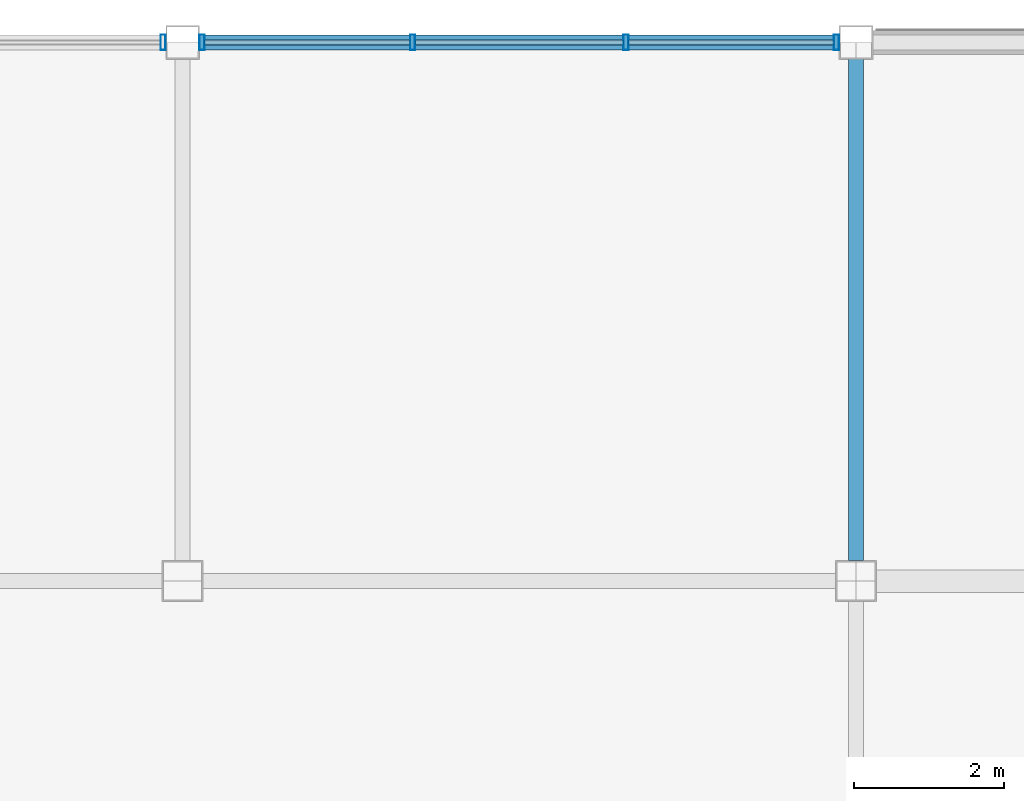
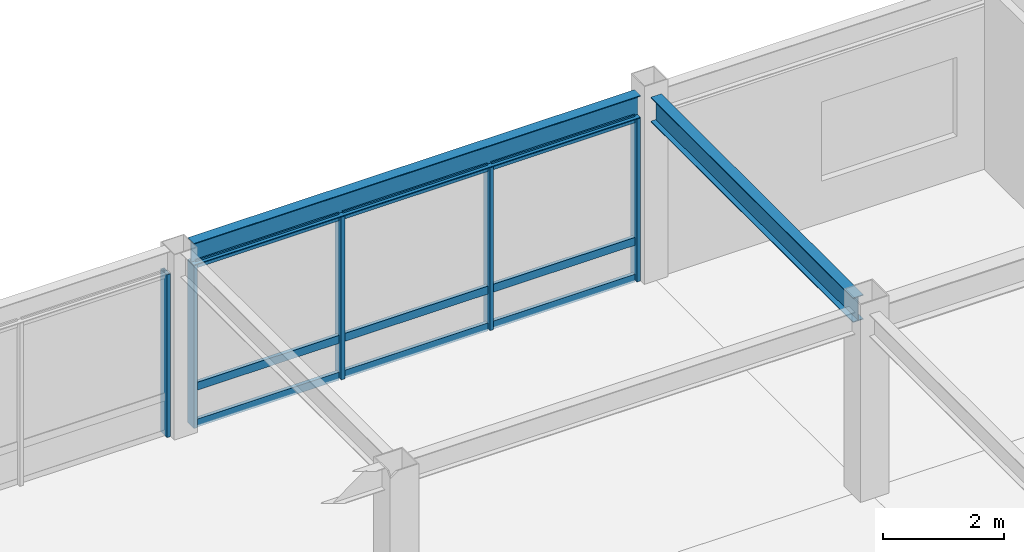
# One storey, part 72 of 113: 14 members, 2 beams, 2 elements without a shape of their own.
"""IFC4 building model written with IfcOpenShell, lengths in metres."""

from ifc_helpers import new_model, si_unit, direction, frame, origin, origin_2d, place, context, subcontext, project, spatial, hollow_rectangle, i_section, extrude, material, material_profile, profile_set, type_object, element, aggregate, save


model = new_model("IFC4")

# Units and contexts
model_context = context("Model", 3, precision=1e-05, world=origin(), true_north=direction((0.0, 1.0)))
body_context = subcontext(model_context, "Body", "Model", "MODEL_VIEW")
ifc_project = project(units=[si_unit("LENGTHUNIT", "METRE"), si_unit("AREAUNIT", "SQUARE_METRE"), si_unit("VOLUMEUNIT", "CUBIC_METRE"), si_unit("PLANEANGLEUNIT", "RADIAN"), si_unit("MASSUNIT", "GRAM", prefix="KILO")], contexts=[model_context])

# Site, building, storey
site_placement = place(None, origin())
site = spatial("IfcSite", under=ifc_project, at=site_placement, CompositionType="ELEMENT")
building_placement = place(site_placement, origin())
building = spatial("IfcBuilding", under=site, at=building_placement, Name="Kazanami Central Library", CompositionType="ELEMENT")
storey_placement = place(building_placement, frame((0.0, 0.0, 8.800048828125)))
storey = spatial("IfcBuildingStorey", under=building, at=storey_placement, Name="L03", CompositionType="ELEMENT", Elevation=8.800048828125)

# Beams
ifc_material_1 = material(Name="Steel SN490B (325 MPa)", Category="steel")
ifc_material_profile_1 = material_profile(ifc_material_1, i_section(OverallWidth=0.199951171875, OverallDepth=0.5, WebThickness=0.010009765625, FlangeThickness=0.01611328125, at=origin_2d()), Name="H-500x200x10x16")
ifc_profile_set_1 = profile_set([ifc_material_profile_1], Name="Steel SN490B (325 MPa)")
beam_type_1 = type_object("IfcBeamType", Name="BM-G-Y2", PredefinedType="BEAM", material=ifc_profile_set_1)
beam_1_placement = place(storey_placement, frame((90.0, 86.673095703125, 3.494873046875), z_axis=(0.0, 1.0, 0.0), x_axis=(-1.0, 0.0, 0.0)))
element("IfcBeam", 1, at=beam_1_placement, inside=storey, type_object=beam_type_1, Name="Girder G-Y2 L03 11/N-O", PredefinedType="BEAM", context=body_context, shape_type="SweptSolid", body=[
    extrude(i_section(OverallWidth=0.199951171875, OverallDepth=0.5, WebThickness=0.010009765625, FlangeThickness=0.01611328125, at=origin_2d()), origin(), (0.0, 0.0, 1.0), 6.703857421875),
])
ifc_material_profile_2 = material_profile(ifc_material_1, i_section(OverallWidth=0.199951171875, OverallDepth=0.449951171875, WebThickness=0.009033203125, FlangeThickness=0.013916015625, at=origin_2d()), Name="H-450x200x9x14")
ifc_profile_set_2 = profile_set([ifc_material_profile_2], Name="Steel SN490B (325 MPa)")
beam_type_2 = type_object("IfcBeamType", Name="BM-SP-2", PredefinedType="SPANDREL", material=ifc_profile_set_2)
beam_2_placement = place(storey_placement, frame((81.222900390625, 93.60009765625, 3.52001953125), z_axis=(1.0, 0.0, 0.0), x_axis=(0.0, 1.0, 0.0)))
element("IfcBeam", 2, at=beam_2_placement, inside=storey, type_object=beam_type_2, Name="Girder SP-2 L03 O/10-11", PredefinedType="SPANDREL", context=body_context, shape_type="SweptSolid", body=[
    extrude(i_section(OverallWidth=0.199951171875, OverallDepth=0.449951171875, WebThickness=0.009033203125, FlangeThickness=0.013916015625, at=origin_2d()), origin(), (0.0, 0.0, 1.0), 8.55419921875),
])

# Curtain wall, member
ifc_material_2 = material(Name="Acid-Etched Low-E Laminated Glass", Category="glass")
curtain_wall_type = type_object("IfcCurtainWallType", Name="CW-8550x3295-M275", PredefinedType="USERDEFINED", material=ifc_material_2)
curtain_wall_1_placement = place(storey_placement, origin())
curtain_wall_1 = element("IfcCurtainWall", 3, at=curtain_wall_1_placement, inside=storey, type_object=curtain_wall_type, Name="Unitised Curtain Wall CW-30 L03 N-O-08", ObjectType="UNITISED CURTAIN WALL", PredefinedType="USERDEFINED")
ifc_material_3 = material(Name="Anodised Aluminium A6063-T5", Category="aluminium")
ifc_material_profile_3 = material_profile(ifc_material_3, hollow_rectangle(XDim=0.070068359375, YDim=0.2099609375, WallThickness=0.0048828125, at=origin_2d()), Name="ALU-MULL-70x210x5")
ifc_profile_set_3 = profile_set([ifc_material_profile_3], Name="Anodised Aluminium A6063-T5")
member_type_1 = type_object("IfcMemberType", Name="MEM-CW-M1", PredefinedType="MULLION", material=ifc_profile_set_3)
member_1_placement = place(storey_placement, frame((80.739990234375, 93.60009765625, 0.0), z_axis=(0.0, 0.0, 1.0), x_axis=(-1.0, 0.0, 0.0)))
member_1 = element("IfcMember", 4, at=member_1_placement, type_object=member_type_1, Name="CW-30 mullion 1", PredefinedType="MULLION", context=body_context, shape_type="SweptSolid", body=[
    extrude(hollow_rectangle(XDim=0.070068359375, YDim=0.2099609375, WallThickness=0.0048828125, at=origin_2d()), origin(), (0.0, 0.0, 1.0), 3.294921875),
])
aggregate(curtain_wall_1, [member_1])

# Curtain wall, members
curtain_wall_2_placement = place(storey_placement, origin())
curtain_wall_2 = element("IfcCurtainWall", 5, at=curtain_wall_2_placement, inside=storey, type_object=curtain_wall_type, Name="Unitised Curtain Wall CW-30 L03 N-O-09", ObjectType="UNITISED CURTAIN WALL", PredefinedType="USERDEFINED")
member_2_placement = place(storey_placement, frame((89.739990234375, 93.60009765625, 0.0), z_axis=(0.0, 0.0, 1.0), x_axis=(-1.0, 0.0, 0.0)))
member_2 = element("IfcMember", 6, at=member_2_placement, type_object=member_type_1, Name="CW-30 mullion 1", PredefinedType="MULLION", context=body_context, shape_type="SweptSolid", body=[
    extrude(hollow_rectangle(XDim=0.070068359375, YDim=0.2099609375, WallThickness=0.0048828125, at=origin_2d()), origin(), (0.0, 0.0, 1.0), 3.294921875),
])
member_3_placement = place(storey_placement, frame((86.925048828125, 93.60009765625, 0.0), z_axis=(0.0, 0.0, 1.0), x_axis=(-1.0, 0.0, 0.0)))
member_3 = element("IfcMember", 7, at=member_3_placement, type_object=member_type_1, Name="CW-30 mullion 2", PredefinedType="MULLION", context=body_context, shape_type="SweptSolid", body=[
    extrude(hollow_rectangle(XDim=0.070068359375, YDim=0.2099609375, WallThickness=0.0048828125, at=origin_2d()), origin(), (0.0, 0.0, 1.0), 3.294921875),
])
member_4_placement = place(storey_placement, frame((84.074951171875, 93.60009765625, 0.0), z_axis=(0.0, 0.0, 1.0), x_axis=(-1.0, 0.0, 0.0)))
member_4 = element("IfcMember", 8, at=member_4_placement, type_object=member_type_1, Name="CW-30 mullion 3", PredefinedType="MULLION", context=body_context, shape_type="SweptSolid", body=[
    extrude(hollow_rectangle(XDim=0.070068359375, YDim=0.2099609375, WallThickness=0.0048828125, at=origin_2d()), origin(), (0.0, 0.0, 1.0), 3.294921875),
])
member_5_placement = place(storey_placement, frame((81.260009765625, 93.60009765625, 0.0), z_axis=(0.0, 0.0, 1.0), x_axis=(-1.0, 0.0, 0.0)))
member_5 = element("IfcMember", 9, at=member_5_placement, type_object=member_type_1, Name="CW-30 mullion 4", PredefinedType="MULLION", context=body_context, shape_type="SweptSolid", body=[
    extrude(hollow_rectangle(XDim=0.070068359375, YDim=0.2099609375, WallThickness=0.0048828125, at=origin_2d()), origin(), (0.0, 0.0, 1.0), 3.294921875),
])
ifc_material_profile_4 = material_profile(ifc_material_3, hollow_rectangle(XDim=0.070068359375, YDim=0.159912109375, WallThickness=0.00390625, at=origin_2d()), Name="ALU-TRAN-70x160x4")
ifc_profile_set_4 = profile_set([ifc_material_profile_4], Name="Anodised Aluminium A6063-T5")
member_type_2 = type_object("IfcMemberType", Name="MEM-CW-T1", PredefinedType="USERDEFINED", material=ifc_profile_set_4)
member_6_placement = place(storey_placement, frame((89.705078125, 93.60009765625, 0.034912109375), z_axis=(-1.0, 0.0, 0.0), x_axis=(0.0, -1.0, 0.0)))
member_6 = element("IfcMember", 10, at=member_6_placement, type_object=member_type_2, Name="CW-30 transom 1.1", ObjectType="TRANSOM", PredefinedType="USERDEFINED", context=body_context, shape_type="SweptSolid", body=[
    extrude(hollow_rectangle(XDim=0.070068359375, YDim=0.159912109375, WallThickness=0.00390625, at=origin_2d()), origin(), (0.0, 0.0, 1.0), 2.7451171875),
])
member_7_placement = place(storey_placement, frame((89.705078125, 93.60009765625, 0.780029296875), z_axis=(-1.0, 0.0, 0.0), x_axis=(0.0, -1.0, 0.0)))
member_7 = element("IfcMember", 11, at=member_7_placement, type_object=member_type_2, Name="CW-30 transom 1.2", ObjectType="TRANSOM", PredefinedType="USERDEFINED", context=body_context, shape_type="SweptSolid", body=[
    extrude(hollow_rectangle(XDim=0.070068359375, YDim=0.159912109375, WallThickness=0.00390625, at=origin_2d()), origin(), (0.0, 0.0, 1.0), 2.7451171875),
])
member_8_placement = place(storey_placement, frame((89.705078125, 93.60009765625, 3.260009765625), z_axis=(-1.0, 0.0, 0.0), x_axis=(0.0, -1.0, 0.0)))
member_8 = element("IfcMember", 12, at=member_8_placement, type_object=member_type_2, Name="CW-30 transom 1.3", ObjectType="TRANSOM", PredefinedType="USERDEFINED", context=body_context, shape_type="SweptSolid", body=[
    extrude(hollow_rectangle(XDim=0.070068359375, YDim=0.159912109375, WallThickness=0.00390625, at=origin_2d()), origin(), (0.0, 0.0, 1.0), 2.7451171875),
])
member_9_placement = place(storey_placement, frame((86.889892578125, 93.60009765625, 0.034912109375), z_axis=(-1.0, 0.0, 0.0), x_axis=(0.0, -1.0, 0.0)))
member_9 = element("IfcMember", 13, at=member_9_placement, type_object=member_type_2, Name="CW-30 transom 2.1", ObjectType="TRANSOM", PredefinedType="USERDEFINED", context=body_context, shape_type="SweptSolid", body=[
    extrude(hollow_rectangle(XDim=0.070068359375, YDim=0.159912109375, WallThickness=0.00390625, at=origin_2d()), origin(), (0.0, 0.0, 1.0), 2.77978515625),
])
member_10_placement = place(storey_placement, frame((86.889892578125, 93.60009765625, 0.780029296875), z_axis=(-1.0, 0.0, 0.0), x_axis=(0.0, -1.0, 0.0)))
member_10 = element("IfcMember", 14, at=member_10_placement, type_object=member_type_2, Name="CW-30 transom 2.2", ObjectType="TRANSOM", PredefinedType="USERDEFINED", context=body_context, shape_type="SweptSolid", body=[
    extrude(hollow_rectangle(XDim=0.070068359375, YDim=0.159912109375, WallThickness=0.00390625, at=origin_2d()), origin(), (0.0, 0.0, 1.0), 2.77978515625),
])
member_11_placement = place(storey_placement, frame((86.889892578125, 93.60009765625, 3.260009765625), z_axis=(-1.0, 0.0, 0.0), x_axis=(0.0, -1.0, 0.0)))
member_11 = element("IfcMember", 15, at=member_11_placement, type_object=member_type_2, Name="CW-30 transom 2.3", ObjectType="TRANSOM", PredefinedType="USERDEFINED", context=body_context, shape_type="SweptSolid", body=[
    extrude(hollow_rectangle(XDim=0.070068359375, YDim=0.159912109375, WallThickness=0.00390625, at=origin_2d()), origin(), (0.0, 0.0, 1.0), 2.77978515625),
])
member_12_placement = place(storey_placement, frame((84.0400390625, 93.60009765625, 0.034912109375), z_axis=(-1.0, 0.0, 0.0), x_axis=(0.0, -1.0, 0.0)))
member_12 = element("IfcMember", 16, at=member_12_placement, type_object=member_type_2, Name="CW-30 transom 3.1", ObjectType="TRANSOM", PredefinedType="USERDEFINED", context=body_context, shape_type="SweptSolid", body=[
    extrude(hollow_rectangle(XDim=0.070068359375, YDim=0.159912109375, WallThickness=0.00390625, at=origin_2d()), origin(), (0.0, 0.0, 1.0), 2.7451171875),
])
member_13_placement = place(storey_placement, frame((84.0400390625, 93.60009765625, 0.780029296875), z_axis=(-1.0, 0.0, 0.0), x_axis=(0.0, -1.0, 0.0)))
member_13 = element("IfcMember", 17, at=member_13_placement, type_object=member_type_2, Name="CW-30 transom 3.2", ObjectType="TRANSOM", PredefinedType="USERDEFINED", context=body_context, shape_type="SweptSolid", body=[
    extrude(hollow_rectangle(XDim=0.070068359375, YDim=0.159912109375, WallThickness=0.00390625, at=origin_2d()), origin(), (0.0, 0.0, 1.0), 2.7451171875),
])
member_14_placement = place(storey_placement, frame((84.0400390625, 93.60009765625, 3.260009765625), z_axis=(-1.0, 0.0, 0.0), x_axis=(0.0, -1.0, 0.0)))
member_14 = element("IfcMember", 18, at=member_14_placement, type_object=member_type_2, Name="CW-30 transom 3.3", ObjectType="TRANSOM", PredefinedType="USERDEFINED", context=body_context, shape_type="SweptSolid", body=[
    extrude(hollow_rectangle(XDim=0.070068359375, YDim=0.159912109375, WallThickness=0.00390625, at=origin_2d()), origin(), (0.0, 0.0, 1.0), 2.7451171875),
])
aggregate(curtain_wall_2, [member_2, member_3, member_4, member_5, member_6, member_7, member_8, member_9, member_10, member_11, member_12, member_13, member_14])

save(model, "model.ifc")
